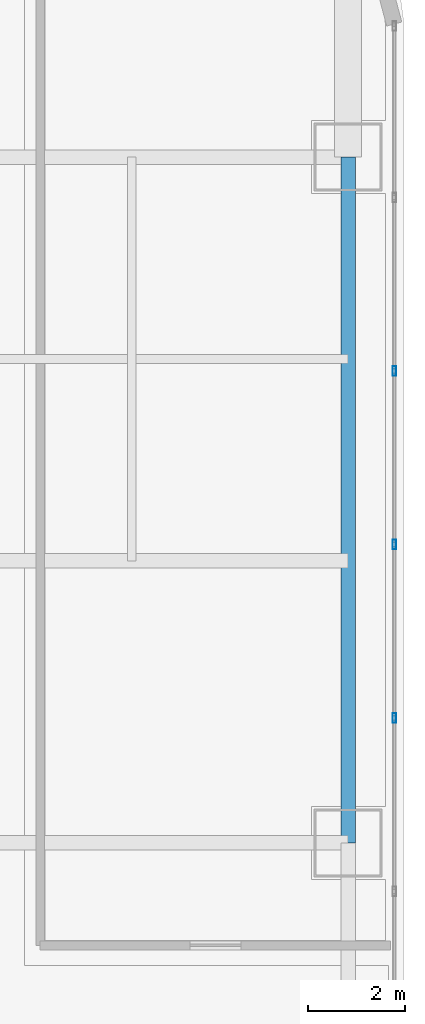
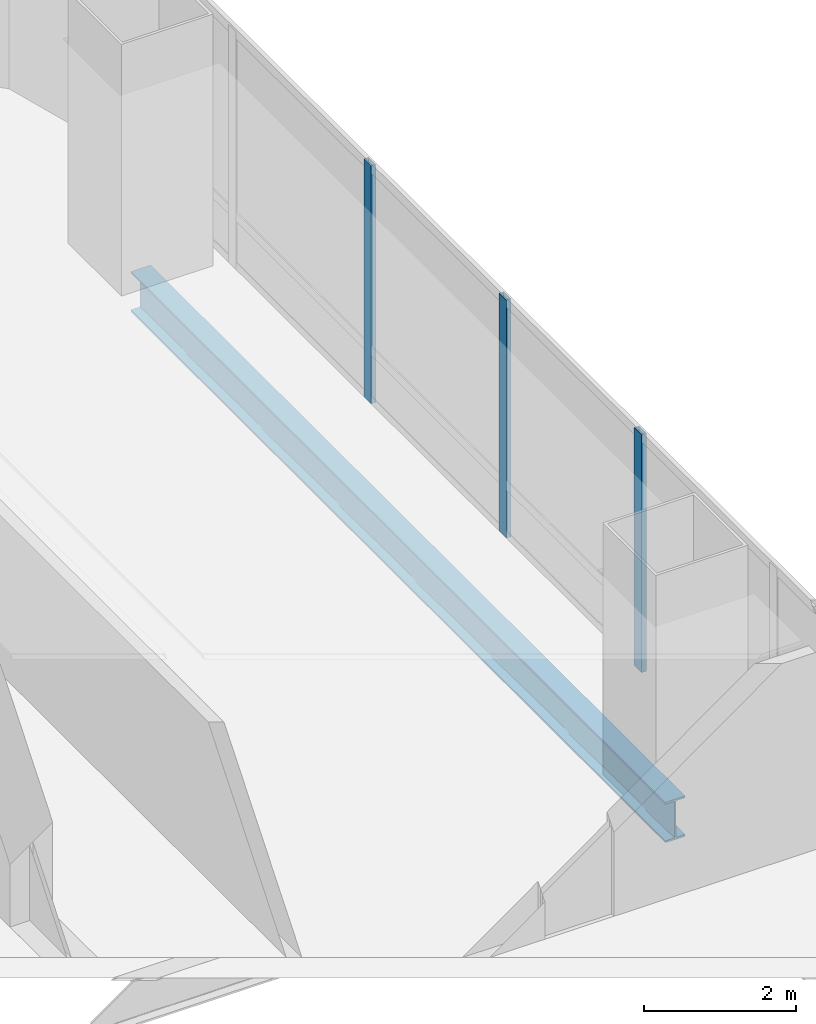
# One storey, part 18 of 38: 3 members, 1 beam, 1 element without a shape of its own.
"""IFC4 building model written with IfcOpenShell, lengths in metres."""

from ifc_helpers import new_model, si_unit, direction, frame, origin, origin_2d, place, context, subcontext, project, spatial, hollow_rectangle, i_section, extrude, material, material_profile, profile_set, type_object, element, aggregate, save


model = new_model("IFC4")

# Units and contexts
model_context = context("Model", 3, precision=1e-05, world=origin(), true_north=direction((0.0, 1.0)))
body_context = subcontext(model_context, "Body", "Model", "MODEL_VIEW")
ifc_project = project(units=[si_unit("LENGTHUNIT", "METRE"), si_unit("AREAUNIT", "SQUARE_METRE"), si_unit("VOLUMEUNIT", "CUBIC_METRE"), si_unit("PLANEANGLEUNIT", "RADIAN"), si_unit("MASSUNIT", "GRAM", prefix="KILO")], contexts=[model_context])

# Site, building, storey
site_placement = place(None, origin())
site = spatial("IfcSite", under=ifc_project, at=site_placement, CompositionType="ELEMENT")
building_placement = place(site_placement, origin())
building = spatial("IfcBuilding", under=site, at=building_placement, Name="Punatoya Terracotta Tower", CompositionType="ELEMENT")
storey_placement = place(building_placement, frame((0.0, 0.0, 156.0)))
storey = spatial("IfcBuildingStorey", under=building, at=storey_placement, Name="L36", CompositionType="ELEMENT", Elevation=156.0)

# Beam
ifc_material_1 = material(Name="Steel S355", Category="steel")
ifc_material_profile_1 = material_profile(ifc_material_1, i_section(OverallWidth=0.300048828125, OverallDepth=0.64990234375, WebThickness=0.01611328125, FlangeThickness=0.031005859375, FilletRadius=0.01806640625, at=origin_2d()))
ifc_profile_set_1 = profile_set([ifc_material_profile_1], Name="Steel S355")
beam_type = type_object("IfcBeamType", Name="BM-PRI-650", PredefinedType="BEAM", material=ifc_profile_set_1)
beam_placement = place(storey_placement, frame((19.10009765625, 3.39990234375, -0.544921875), z_axis=(0.0, 1.0, 0.0), x_axis=(-1.0, 0.0, 0.0)))
element("IfcBeam", 1, at=beam_placement, inside=storey, type_object=beam_type, Name="BM-L36-RG-E3", PredefinedType="BEAM", context=body_context, shape_type="SweptSolid", body=[
    extrude(i_section(OverallWidth=0.300048828125, OverallDepth=0.64990234375, WebThickness=0.01611328125, FlangeThickness=0.031005859375, FilletRadius=0.01806640625, at=origin_2d()), origin(), (0.0, 0.0, 1.0), 14.10009765625),
])

# Curtain wall, members
ifc_material_2 = material(Name="Aluminium 6063-T6 + Double Low-E Glass", Category="aluminium")
curtain_wall_type = type_object("IfcCurtainWallType", Name="CW-M2", PredefinedType="NOTDEFINED", material=ifc_material_2)
curtain_wall_placement = place(storey_placement, origin())
curtain_wall = element("IfcCurtainWall", 2, at=curtain_wall_placement, inside=storey, type_object=curtain_wall_type, Name="L36 Curtain Wall CW-L36-E05-1", PredefinedType="NOTDEFINED")
ifc_material_3 = material(Name="Aluminium 6063-T6", Category="aluminium")
ifc_material_profile_2 = material_profile(ifc_material_3, hollow_rectangle(XDim=0.072021484375, YDim=0.195068359375, WallThickness=0.00439453125, at=origin_2d()))
ifc_profile_set_2 = profile_set([ifc_material_profile_2], Name="Aluminium 6063-T6")
member_type = type_object("IfcMemberType", Name="CW-MUL-M2", PredefinedType="MULLION", material=ifc_profile_set_2)
member_1_placement = place(storey_placement, frame((20.050048828125, 5.96728515625, 0.0), z_axis=(0.0, 0.0, 1.0), x_axis=(1.0, 0.0, 0.0)))
member_1 = element("IfcMember", 3, at=member_1_placement, type_object=member_type, Name="CW-L36-E05-1 Mullion 06", PredefinedType="MULLION", context=body_context, shape_type="SweptSolid", body=[
    extrude(hollow_rectangle(XDim=0.072021484375, YDim=0.195068359375, WallThickness=0.00439453125, at=origin_2d()), origin(), (0.0, 0.0, 1.0), 3.830078125),
])
member_2_placement = place(storey_placement, frame((20.050048828125, 9.534912109375, 0.0), z_axis=(0.0, 0.0, 1.0), x_axis=(1.0, 0.0, 0.0)))
member_2 = element("IfcMember", 4, at=member_2_placement, type_object=member_type, Name="CW-L36-E05-1 Mullion 07", PredefinedType="MULLION", context=body_context, shape_type="SweptSolid", body=[
    extrude(hollow_rectangle(XDim=0.072021484375, YDim=0.195068359375, WallThickness=0.00439453125, at=origin_2d()), origin(), (0.0, 0.0, 1.0), 3.830078125),
])
member_3_placement = place(storey_placement, frame((20.050048828125, 13.10205078125, 0.0), z_axis=(0.0, 0.0, 1.0), x_axis=(1.0, 0.0, 0.0)))
member_3 = element("IfcMember", 5, at=member_3_placement, type_object=member_type, Name="CW-L36-E05-1 Mullion 08", PredefinedType="MULLION", context=body_context, shape_type="SweptSolid", body=[
    extrude(hollow_rectangle(XDim=0.072021484375, YDim=0.195068359375, WallThickness=0.00439453125, at=origin_2d()), origin(), (0.0, 0.0, 1.0), 3.830078125),
])
aggregate(curtain_wall, [member_1, member_2, member_3])

save(model, "model.ifc")
